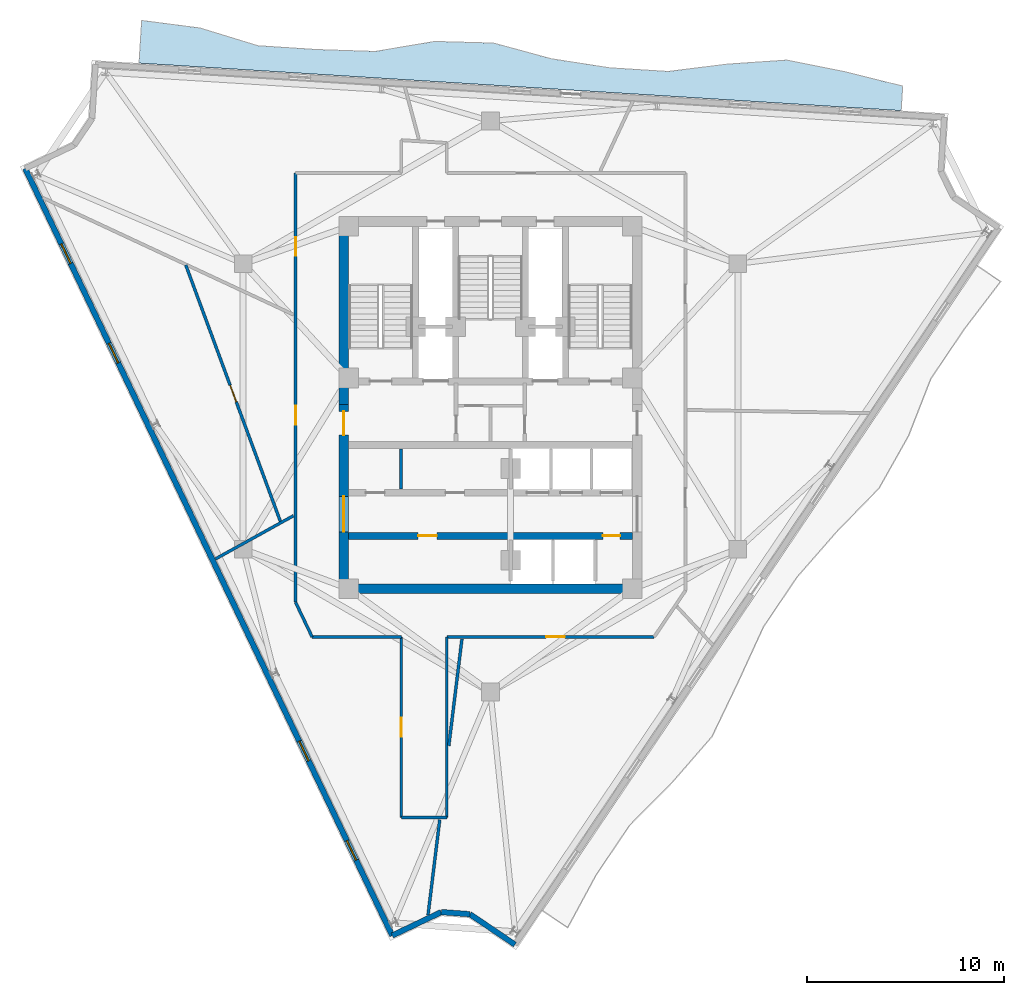
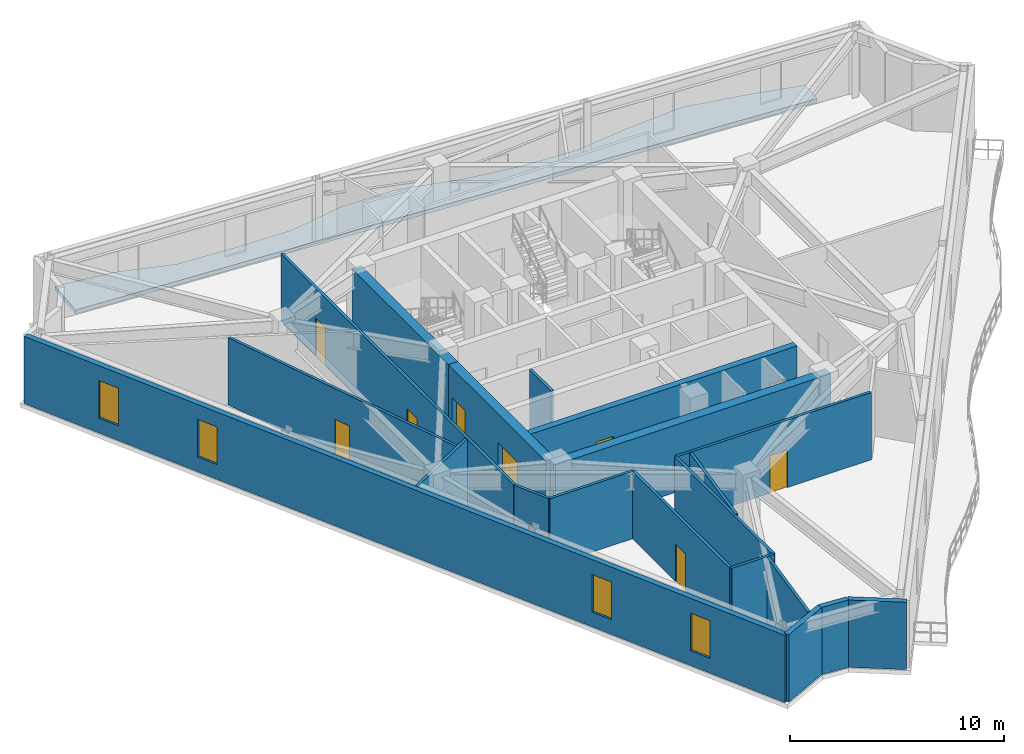
# One storey, part 5 of 10: 20 walls, 9 doors, 4 windows, 1 slab, 13 openings.
"""IFC4 building model written with IfcOpenShell, lengths in metres."""

from ifc_helpers import new_model, si_unit, direction, frame, frame_2d, origin, place, context, subcontext, project, spatial, polyline, rectangle, outline, extrude, material, layer, layer_set, type_object, element, fill, save


model = new_model("IFC4")

# Units and contexts
model_context = context("Model", 3, precision=1e-05, world=origin(), true_north=direction((0.0, 1.0)))
body_context = subcontext(model_context, "Body", "Model", "MODEL_VIEW")
ifc_project = project(units=[si_unit("LENGTHUNIT", "METRE"), si_unit("AREAUNIT", "SQUARE_METRE"), si_unit("VOLUMEUNIT", "CUBIC_METRE"), si_unit("PLANEANGLEUNIT", "RADIAN"), si_unit("MASSUNIT", "GRAM", prefix="KILO")], contexts=[model_context])

# Site, building, storey
site_placement = place(None, origin())
site = spatial("IfcSite", under=ifc_project, at=site_placement, CompositionType="ELEMENT")
building_placement = place(site_placement, origin())
building = spatial("IfcBuilding", under=site, at=building_placement, Name="Apsidion Concourse Tower", CompositionType="ELEMENT")
storey_placement = place(building_placement, frame((0.0, 0.0, 310.60009765625)))
storey = spatial("IfcBuildingStorey", under=building, at=storey_placement, Name="L73", CompositionType="ELEMENT", Elevation=310.60009765625)

# Slab
ifc_material_1 = material(Name="Concrete C50/60", Category="concrete")
ifc_layer_1 = layer(ifc_material_1, 0.219970703125)
ifc_layer_set_1 = layer_set([ifc_layer_1], Name="Concrete C50/60")
slab_type = type_object("IfcSlabType", Name="SL-BAL-220", PredefinedType="FLOOR", material=ifc_layer_set_1)
slab_placement = place(storey_placement, frame((0.0, 0.0, -0.22021484375)))
element("IfcSlab", 1, at=slab_placement, inside=storey, type_object=slab_type, Name="L73 Face 3 Rippling Balcony Slab", PredefinedType="FLOOR", context=body_context, shape_type="SweptSolid", body=[
    extrude(outline(polyline([(20.8564453125, 15.025146484375), (17.879150390625, 15.2109375), (14.90185546875, 15.396484375), (11.924560546875, 15.582275390625), (8.947265625, 15.767822265625), (5.969970703125, 15.95361328125), (2.99267578125, 16.139404296875), (0.015380859375, 16.324951171875), (-2.9619140625, 16.510498046875), (-5.939208984375, 16.6962890625), (-8.91650390625, 16.882080078125), (-11.893798828125, 17.067626953125), (-14.87109375, 17.25341796875), (-17.848388671875, 17.43896484375), (-17.71337890625, 19.6044921875), (-14.748291015625, 19.22119140625), (-11.8154296875, 18.3232421875), (-8.838623046875, 18.129638671875), (-5.85595703125, 18.03125), (-2.835205078125, 18.5400390625), (0.1484375, 18.458984375), (3.087646484375, 17.660400390625), (6.0478515625, 17.201171875), (9.025146484375, 17.015380859375), (12.037353515625, 17.389404296875), (15.038818359375, 17.59228515625), (17.990966796875, 17.002197265625), (20.934326171875, 16.272705078125), (20.8564453125, 15.025146484375)])), origin(), (0.0, 0.0, 1.0), 0.22021484375),
])

# Walls
ifc_material_2 = material(Name="Precast concrete C40/50", Category="concrete")
ifc_layer_2 = layer(ifc_material_2, 0.280029296875)
ifc_layer_set_2 = layer_set([ifc_layer_2], Name="Precast concrete C40/50")
wall_type_1 = type_object("IfcWallType", Name="WL-EXT-280", PredefinedType="STANDARD", material=ifc_layer_set_2)
wall_1_placement = place(storey_placement, frame((1.2431640625, -27.323974609375, 0.0), z_axis=(0.0, 0.0, 1.0), x_axis=(-0.829015842911, 0.559225117643, 0.0)))
element("IfcWall", 2, at=wall_1_placement, inside=storey, type_object=wall_type_1, Name="L73 Precast Stone Facade Wall 06", PredefinedType="STANDARD", context=body_context, shape_type="SweptSolid", body=[
    extrude(rectangle(XDim=2.759033203125, YDim=0.280029296875, at=frame_2d((1.37939453125, 0.0))), origin(), (0.0, 0.0, 1.0), 3.849853515625),
])
wall_2_placement = place(storey_placement, frame((-1.044189453125, -25.781005859375, 0.0), z_axis=(0.0, 0.0, 1.0), x_axis=(-0.997286893261, 0.073612855735, 0.0)))
element("IfcWall", 3, at=wall_2_placement, inside=storey, type_object=wall_type_1, Name="L73 Precast Stone Facade Wall 07", PredefinedType="STANDARD", context=body_context, shape_type="SweptSolid", body=[
    extrude(rectangle(XDim=1.459228515625, YDim=0.280029296875, at=frame_2d((0.7294921875, 0.0))), origin(), (0.0, 0.0, 1.0), 3.849853515625),
])
wall_3_placement = place(storey_placement, frame((-2.49951171875, -25.673583984375, 0.0), z_axis=(0.0, 0.0, 1.0), x_axis=(-0.902044352952, -0.431643354296, 0.0)))
element("IfcWall", 4, at=wall_3_placement, inside=storey, type_object=wall_type_1, Name="L73 Precast Stone Facade Wall 08", PredefinedType="STANDARD", context=body_context, shape_type="SweptSolid", body=[
    extrude(rectangle(XDim=2.759033203125, YDim=0.280029296875, at=frame_2d((1.37939453125, 0.0))), origin(), (0.0, 0.0, 1.0), 3.849853515625),
])

# Wall, openings, windows
wall_4_placement = place(storey_placement, frame((-4.98828125, -26.864501953125, 0.0), z_axis=(0.0, 0.0, 1.0), x_axis=(-0.431592936847, 0.902068476815, 0.0)))
wall_4 = element("IfcWall", 5, at=wall_4_placement, inside=storey, type_object=wall_type_1, Name="L73 Precast Stone Facade Wall 09", PredefinedType="STANDARD", context=body_context, shape_type="SweptSolid", body=[
    extrude(rectangle(XDim=43.18017578125, YDim=0.280029296875, at=frame_2d((21.590087890625, 0.0))), origin(), (0.0, 0.0, 1.0), 3.849853515625),
])
opening_1_placement = place(wall_4_placement, frame((4.239990234375, 0.0, 0.85009765625)))
opening_1 = element("IfcOpeningElement", 6, at=opening_1_placement, cuts=wall_4, Name="Opening WN-07", PredefinedType="OPENING", context=body_context, shape_type="SweptSolid", body=[
    extrude(rectangle(XDim=1.10009765625, YDim=2.14990234375, at=frame_2d((0.550048828125, 1.074951171875))), frame((0.0, 0.14990234375, 0.0), z_axis=(0.0, -1.0, 0.0), x_axis=(1.0, 0.0, 0.0)), (0.0, 0.0, 1.0), 0.300048828125),
])
opening_2_placement = place(wall_4_placement, frame((9.840087890625, 0.0, 0.85009765625)))
opening_2 = element("IfcOpeningElement", 7, at=opening_2_placement, cuts=wall_4, Name="Opening WN-07", PredefinedType="OPENING", context=body_context, shape_type="SweptSolid", body=[
    extrude(rectangle(XDim=1.10009765625, YDim=2.14990234375, at=frame_2d((0.550048828125, 1.074951171875))), frame((0.0, 0.14990234375, 0.0), z_axis=(0.0, -1.0, 0.0), x_axis=(1.0, 0.0, 0.0)), (0.0, 0.0, 1.0), 0.300048828125),
])
opening_3_placement = place(wall_4_placement, frame((32.239990234375, 0.0, 0.85009765625)))
opening_3 = element("IfcOpeningElement", 8, at=opening_3_placement, cuts=wall_4, Name="Opening WN-07", PredefinedType="OPENING", context=body_context, shape_type="SweptSolid", body=[
    extrude(rectangle(XDim=1.10009765625, YDim=2.14990234375, at=frame_2d((0.550048828125, 1.074951171875))), frame((0.0, 0.14990234375, 0.0), z_axis=(0.0, -1.0, 0.0), x_axis=(1.0, 0.0, 0.0)), (0.0, 0.0, 1.0), 0.300048828125),
])
opening_4_placement = place(wall_4_placement, frame((37.840087890625, 0.0, 0.85009765625)))
opening_4 = element("IfcOpeningElement", 9, at=opening_4_placement, cuts=wall_4, Name="Opening WN-07", PredefinedType="OPENING", context=body_context, shape_type="SweptSolid", body=[
    extrude(rectangle(XDim=1.10009765625, YDim=2.14990234375, at=frame_2d((0.550048828125, 1.074951171875))), frame((0.0, 0.14990234375, 0.0), z_axis=(0.0, -1.0, 0.0), x_axis=(1.0, 0.0, 0.0)), (0.0, 0.0, 1.0), 0.300048828125),
])
ifc_material_3 = material(Name="Insulated laminated low-E glass", Category="glass")
window_type = type_object("IfcWindowType", Name="WN-OFF-1123", PartitioningType="SINGLE_PANEL", PredefinedType="WINDOW", material=ifc_material_3)
window_1_placement = place(opening_1_placement, origin())
window_1 = element("IfcWindow", 10, at=window_1_placement, inside=storey, type_object=window_type, Name="L73 Punched Facade Window 9-01", OverallHeight=2.14990234375, OverallWidth=1.10009765625, PartitioningType="SINGLE_PANEL", PredefinedType="WINDOW", context=body_context, shape_type="SweptSolid", body=[
    extrude(rectangle(XDim=1.10009765625, YDim=2.14990234375, at=frame_2d((0.550048828125, 1.074951171875))), frame((0.0, 0.030029296875, 0.0), z_axis=(0.0, -1.0, 0.0), x_axis=(1.0, 0.0, 0.0)), (0.0, 0.0, 1.0), 0.06005859375),
])
fill(opening_1, window_1)
window_2_placement = place(opening_2_placement, origin())
window_2 = element("IfcWindow", 11, at=window_2_placement, inside=storey, type_object=window_type, Name="L73 Punched Facade Window 9-02", OverallHeight=2.14990234375, OverallWidth=1.10009765625, PartitioningType="SINGLE_PANEL", PredefinedType="WINDOW", context=body_context, shape_type="SweptSolid", body=[
    extrude(rectangle(XDim=1.10009765625, YDim=2.14990234375, at=frame_2d((0.550048828125, 1.074951171875))), frame((0.0, 0.030029296875, 0.0), z_axis=(0.0, -1.0, 0.0), x_axis=(1.0, 0.0, 0.0)), (0.0, 0.0, 1.0), 0.06005859375),
])
fill(opening_2, window_2)
window_3_placement = place(opening_3_placement, origin())
window_3 = element("IfcWindow", 12, at=window_3_placement, inside=storey, type_object=window_type, Name="L73 Punched Facade Window 9-06", OverallHeight=2.14990234375, OverallWidth=1.10009765625, PartitioningType="SINGLE_PANEL", PredefinedType="WINDOW", context=body_context, shape_type="SweptSolid", body=[
    extrude(rectangle(XDim=1.10009765625, YDim=2.14990234375, at=frame_2d((0.550048828125, 1.074951171875))), frame((0.0, 0.030029296875, 0.0), z_axis=(0.0, -1.0, 0.0), x_axis=(1.0, 0.0, 0.0)), (0.0, 0.0, 1.0), 0.06005859375),
])
fill(opening_3, window_3)
window_4_placement = place(opening_4_placement, origin())
window_4 = element("IfcWindow", 13, at=window_4_placement, inside=storey, type_object=window_type, Name="L73 Punched Facade Window 9-07", OverallHeight=2.14990234375, OverallWidth=1.10009765625, PartitioningType="SINGLE_PANEL", PredefinedType="WINDOW", context=body_context, shape_type="SweptSolid", body=[
    extrude(rectangle(XDim=1.10009765625, YDim=2.14990234375, at=frame_2d((0.550048828125, 1.074951171875))), frame((0.0, 0.030029296875, 0.0), z_axis=(0.0, -1.0, 0.0), x_axis=(1.0, 0.0, 0.0)), (0.0, 0.0, 1.0), 0.06005859375),
])
fill(opening_4, window_4)

# Walls
ifc_material_4 = material(Name="Gypsum plasterboard partition")
ifc_layer_3 = layer(ifc_material_4, 0.14990234375)
ifc_layer_set_3 = layer_set([ifc_layer_3], Name="Gypsum plasterboard partition")
wall_type_2 = type_object("IfcWallType", Name="WL-INT-PAR-150", PredefinedType="PARTITIONING", material=ifc_layer_set_3)
wall_5_placement = place(storey_placement, frame((-4.550048828125, -4.179931640625, 0.0), z_axis=(0.0, 0.0, 1.0), x_axis=(0.0, 1.0, 0.0)))
element("IfcWall", 14, at=wall_5_placement, inside=storey, type_object=wall_type_2, Name="L73 Interior Partition WL-L73-B1RV1", PredefinedType="PARTITIONING", context=body_context, shape_type="SweptSolid", body=[
    extrude(rectangle(XDim=2.030029296875, YDim=0.14990234375, at=frame_2d((1.01513671875, 0.0))), origin(), (0.0, 0.0, 1.0), 3.849853515625),
])
wall_6_placement = place(storey_placement, frame((-4.530029296875, -11.699951171875, 0.0), z_axis=(0.0, 0.0, 1.0), x_axis=(-1.0, 0.0, 0.0)))
element("IfcWall", 15, at=wall_6_placement, inside=storey, type_object=wall_type_2, Name="L73 Interior Partition WL-L73-CORR-01", PredefinedType="PARTITIONING", context=body_context, shape_type="SweptSolid", body=[
    extrude(rectangle(XDim=4.5263671875, YDim=0.14990234375, at=frame_2d((2.26318359375, 0.0))), origin(), (0.0, 0.0, 1.0), 3.849853515625),
])
wall_7_placement = place(storey_placement, frame((-9.056396484375, -11.699951171875, 0.0), z_axis=(0.0, 0.0, 1.0), x_axis=(-0.431605782187, 0.902062330875, 0.0)))
element("IfcWall", 16, at=wall_7_placement, inside=storey, type_object=wall_type_2, Name="L73 Interior Partition WL-L73-CORR-02", PredefinedType="PARTITIONING", context=body_context, shape_type="SweptSolid", body=[
    extrude(rectangle(XDim=1.954345703125, YDim=0.14990234375, at=frame_2d((0.97705078125, 0.0))), origin(), (0.0, 0.0, 1.0), 3.849853515625),
])

# Wall, openings, doors
wall_8_placement = place(storey_placement, frame((-9.89990234375, -9.93701171875, 0.0), z_axis=(0.0, 0.0, 1.0), x_axis=(0.0, 1.0, 0.0)))
wall_8 = element("IfcWall", 17, at=wall_8_placement, inside=storey, type_object=wall_type_2, Name="L73 Interior Partition WL-L73-CORR-03", PredefinedType="PARTITIONING", context=body_context, shape_type="SweptSolid", body=[
    extrude(rectangle(XDim=21.787109375, YDim=0.14990234375, at=frame_2d((10.8935546875, 0.0))), origin(), (0.0, 0.0, 1.0), 3.849853515625),
])
opening_5_placement = place(wall_8_placement, frame((17.5908203125, 0.0, 0.0)))
opening_5 = element("IfcOpeningElement", 18, at=opening_5_placement, cuts=wall_8, Name="Opening D-01R", PredefinedType="OPENING", context=body_context, shape_type="SweptSolid", body=[
    extrude(rectangle(XDim=0.949951171875, YDim=2.14990234375, at=frame_2d((0.47509765625, 1.074951171875))), frame((0.0, 0.0849609375, 0.0), z_axis=(0.0, -1.0, 0.0), x_axis=(1.0, 0.0, 0.0)), (0.0, 0.0, 1.0), 0.169921875),
])
opening_6_placement = place(wall_8_placement, frame((9.02197265625, 0.0, 0.0)))
opening_6 = element("IfcOpeningElement", 19, at=opening_6_placement, cuts=wall_8, Name="Opening D-01L", PredefinedType="OPENING", context=body_context, shape_type="SweptSolid", body=[
    extrude(rectangle(XDim=0.949951171875, YDim=2.14990234375, at=frame_2d((0.47509765625, 1.074951171875))), frame((0.0, 0.0849609375, 0.0), z_axis=(0.0, -1.0, 0.0), x_axis=(1.0, 0.0, 0.0)), (0.0, 0.0, 1.0), 0.169921875),
])
ifc_material_5 = material(Name="Brushed stainless steel 316", Category="steel")
door_type_1 = type_object("IfcDoorType", Name="DR-INT-D01L", OperationType="SINGLE_SWING_LEFT", PredefinedType="DOOR", material=ifc_material_5)
door_1_placement = place(opening_6_placement, origin())
door_1 = element("IfcDoor", 20, at=door_1_placement, inside=storey, type_object=door_type_1, Name="L73 Corridor Entry Door 07", OperationType="SINGLE_SWING_LEFT", OverallHeight=2.14990234375, OverallWidth=0.949951171875, PredefinedType="DOOR", context=body_context, shape_type="SweptSolid", body=[
    extrude(rectangle(XDim=0.949951171875, YDim=2.14990234375, at=frame_2d((0.47509765625, 1.074951171875))), frame((0.0, 0.02490234375, 0.0), z_axis=(0.0, -1.0, 0.0), x_axis=(1.0, 0.0, 0.0)), (0.0, 0.0, 1.0), 0.050048828125),
])
fill(opening_6, door_1)
door_type_2 = type_object("IfcDoorType", Name="DR-INT-D01R", OperationType="SINGLE_SWING_RIGHT", PredefinedType="DOOR", material=ifc_material_5)
door_2_placement = place(opening_5_placement, origin())
door_2 = element("IfcDoor", 21, at=door_2_placement, inside=storey, type_object=door_type_2, Name="L73 Corridor Entry Door 06", OperationType="SINGLE_SWING_RIGHT", OverallHeight=2.14990234375, OverallWidth=0.949951171875, PredefinedType="DOOR", context=body_context, shape_type="SweptSolid", body=[
    extrude(rectangle(XDim=0.949951171875, YDim=2.14990234375, at=frame_2d((0.47509765625, 1.074951171875))), frame((0.0, 0.02490234375, 0.0), z_axis=(0.0, -1.0, 0.0), x_axis=(1.0, 0.0, 0.0)), (0.0, 0.0, 1.0), 0.050048828125),
])
fill(opening_5, door_2)

# Wall, opening, door
wall_9_placement = place(storey_placement, frame((8.313720703125, -11.699951171875, 0.0), z_axis=(0.0, 0.0, 1.0), x_axis=(-1.0, 0.0, 0.0)))
wall_9 = element("IfcWall", 22, at=wall_9_placement, inside=storey, type_object=wall_type_2, Name="L73 Interior Partition WL-L73-CORR-11", PredefinedType="PARTITIONING", context=body_context, shape_type="SweptSolid", body=[
    extrude(rectangle(XDim=10.53369140625, YDim=0.14990234375, at=frame_2d((5.266845703125, 0.0))), origin(), (0.0, 0.0, 1.0), 3.849853515625),
])
opening_7_placement = place(wall_9_placement, frame((4.53271484375, 0.0, 0.0)))
opening_7 = element("IfcOpeningElement", 23, at=opening_7_placement, cuts=wall_9, Name="Opening D-01R", PredefinedType="OPENING", context=body_context, shape_type="SweptSolid", body=[
    extrude(rectangle(XDim=0.949951171875, YDim=2.14990234375, at=frame_2d((0.47509765625, 1.074951171875))), frame((0.0, 0.0849609375, 0.0), z_axis=(0.0, -1.0, 0.0), x_axis=(1.0, 0.0, 0.0)), (0.0, 0.0, 1.0), 0.169921875),
])
door_3_placement = place(opening_7_placement, origin())
door_3 = element("IfcDoor", 24, at=door_3_placement, inside=storey, type_object=door_type_2, Name="L73 Corridor Entry Door 02", OperationType="SINGLE_SWING_RIGHT", OverallHeight=2.14990234375, OverallWidth=0.949951171875, PredefinedType="DOOR", context=body_context, shape_type="SweptSolid", body=[
    extrude(rectangle(XDim=0.949951171875, YDim=2.14990234375, at=frame_2d((0.47509765625, 1.074951171875))), frame((0.0, 0.02490234375, 0.0), z_axis=(0.0, -1.0, 0.0), x_axis=(1.0, 0.0, 0.0)), (0.0, 0.0, 1.0), 0.050048828125),
])
fill(opening_7, door_3)

# Walls
wall_10_placement = place(storey_placement, frame((-2.219970703125, -11.699951171875, 0.0), z_axis=(0.0, 0.0, 1.0), x_axis=(0.0, -1.0, 0.0)))
element("IfcWall", 25, at=wall_10_placement, inside=storey, type_object=wall_type_2, Name="L73 Interior Partition WL-L73-CORR-12", PredefinedType="PARTITIONING", context=body_context, shape_type="SweptSolid", body=[
    extrude(rectangle(XDim=9.179931640625, YDim=0.14990234375, at=frame_2d((4.58984375, 0.0))), origin(), (0.0, 0.0, 1.0), 3.849853515625),
])
wall_11_placement = place(storey_placement, frame((-2.219970703125, -20.8798828125, 0.0), z_axis=(0.0, 0.0, 1.0), x_axis=(-1.0, 0.0, 0.0)))
element("IfcWall", 26, at=wall_11_placement, inside=storey, type_object=wall_type_2, Name="L73 Interior Partition WL-L73-CORR-13", PredefinedType="PARTITIONING", context=body_context, shape_type="SweptSolid", body=[
    extrude(rectangle(XDim=2.31005859375, YDim=0.14990234375, at=frame_2d((1.155029296875, 0.0))), origin(), (0.0, 0.0, 1.0), 3.849853515625),
])

# Wall, opening, door
wall_12_placement = place(storey_placement, frame((-4.530029296875, -20.8798828125, 0.0), z_axis=(0.0, 0.0, 1.0), x_axis=(0.0, 1.0, 0.0)))
wall_12 = element("IfcWall", 27, at=wall_12_placement, inside=storey, type_object=wall_type_2, Name="L73 Interior Partition WL-L73-CORR-14", PredefinedType="PARTITIONING", context=body_context, shape_type="SweptSolid", body=[
    extrude(rectangle(XDim=9.179931640625, YDim=0.14990234375, at=frame_2d((4.58984375, 0.0))), origin(), (0.0, 0.0, 1.0), 3.849853515625),
])
opening_8_placement = place(wall_12_placement, frame((4.114990234375, 0.0, 0.0)))
opening_8 = element("IfcOpeningElement", 28, at=opening_8_placement, cuts=wall_12, Name="Opening D-01L", PredefinedType="OPENING", context=body_context, shape_type="SweptSolid", body=[
    extrude(rectangle(XDim=0.949951171875, YDim=2.14990234375, at=frame_2d((0.47509765625, 1.074951171875))), frame((0.0, 0.0849609375, 0.0), z_axis=(0.0, -1.0, 0.0), x_axis=(1.0, 0.0, 0.0)), (0.0, 0.0, 1.0), 0.169921875),
])
door_4_placement = place(opening_8_placement, origin())
door_4 = element("IfcDoor", 29, at=door_4_placement, inside=storey, type_object=door_type_1, Name="L73 Corridor Entry Door 01", OperationType="SINGLE_SWING_LEFT", OverallHeight=2.14990234375, OverallWidth=0.949951171875, PredefinedType="DOOR", context=body_context, shape_type="SweptSolid", body=[
    extrude(rectangle(XDim=0.949951171875, YDim=2.14990234375, at=frame_2d((0.47509765625, 1.074951171875))), frame((0.0, 0.02490234375, 0.0), z_axis=(0.0, -1.0, 0.0), x_axis=(1.0, 0.0, 0.0)), (0.0, 0.0, 1.0), 0.050048828125),
])
fill(opening_8, door_4)

# Walls
wall_13_placement = place(storey_placement, frame((-10.0048828125, -5.5458984375, 0.0), z_axis=(0.0, 0.0, 1.0), x_axis=(-0.874622222754, -0.48480508193, 0.0)))
element("IfcWall", 30, at=wall_13_placement, inside=storey, type_object=wall_type_2, Name="L73 Interior Partition WL-L73-RAD-04-1", PredefinedType="PARTITIONING", context=body_context, shape_type="SweptSolid", body=[
    extrude(rectangle(XDim=4.52880859375, YDim=0.14990234375, at=frame_2d((2.264404296875, 0.0))), origin(), (0.0, 0.0, 1.0), 3.849853515625),
])
wall_14_placement = place(storey_placement, frame((-1.449462890625, -11.804931640625, 0.0), z_axis=(0.0, 0.0, 1.0), x_axis=(-0.121866576679, -0.992546491349, 0.0)))
element("IfcWall", 31, at=wall_14_placement, inside=storey, type_object=wall_type_2, Name="L73 Interior Partition WL-L73-RAD-05-1", PredefinedType="PARTITIONING", context=body_context, shape_type="SweptSolid", body=[
    extrude(rectangle(XDim=5.461181640625, YDim=0.14990234375, at=frame_2d((2.73046875, 0.0))), origin(), (0.0, 0.0, 1.0), 3.849853515625),
])
wall_15_placement = place(storey_placement, frame((-2.57666015625, -20.985107421875, 0.0), z_axis=(0.0, 0.0, 1.0), x_axis=(-0.12186446529, -0.992546750586, 0.0)))
element("IfcWall", 32, at=wall_15_placement, inside=storey, type_object=wall_type_2, Name="L73 Interior Partition WL-L73-RAD-05-2", PredefinedType="PARTITIONING", context=body_context, shape_type="SweptSolid", body=[
    extrude(rectangle(XDim=4.874267578125, YDim=0.14990234375, at=frame_2d((2.43701171875, 0.0))), origin(), (0.0, 0.0, 1.0), 3.849853515625),
])

# Wall, opening, door
wall_16_placement = place(storey_placement, frame((-15.47314453125, 7.187744140625, 0.0), z_axis=(0.0, 0.0, 1.0), x_axis=(0.346159492737, -0.938175679491, 0.0)))
wall_16 = element("IfcWall", 33, at=wall_16_placement, inside=storey, type_object=wall_type_2, Name="L73 Interior Partition WL-L73-CHD-OFS06", PredefinedType="PARTITIONING", context=body_context, shape_type="SweptSolid", body=[
    extrude(rectangle(XDim=13.925048828125, YDim=0.14990234375, at=frame_2d((6.96240234375, 0.0))), origin(), (0.0, 0.0, 1.0), 3.849853515625),
])
opening_9_placement = place(wall_16_placement, frame((6.512451171875, 0.0, 0.0)))
opening_9 = element("IfcOpeningElement", 34, at=opening_9_placement, cuts=wall_16, Name="Opening D-02L", PredefinedType="OPENING", context=body_context, shape_type="SweptSolid", body=[
    extrude(rectangle(XDim=0.89990234375, YDim=2.10009765625, at=frame_2d((0.449951171875, 1.050048828125))), frame((0.0, 0.0849609375, 0.0), z_axis=(0.0, -1.0, 0.0), x_axis=(1.0, 0.0, 0.0)), (0.0, 0.0, 1.0), 0.169921875),
])
ifc_material_6 = material(Name="Anodised aluminium EN AW-6063 T6", Category="aluminium")
door_type_3 = type_object("IfcDoorType", Name="DR-INT-D02L", OperationType="SINGLE_SWING_LEFT", PredefinedType="DOOR", material=ifc_material_6)
door_5_placement = place(opening_9_placement, origin())
door_5 = element("IfcDoor", 35, at=door_5_placement, inside=storey, type_object=door_type_3, Name="L73 Suite Connecting Door OFS06", OperationType="SINGLE_SWING_LEFT", OverallHeight=2.10009765625, OverallWidth=0.89990234375, PredefinedType="DOOR", context=body_context, shape_type="SweptSolid", body=[
    extrude(rectangle(XDim=0.89990234375, YDim=2.10009765625, at=frame_2d((0.449951171875, 1.050048828125))), frame((0.0, 0.02490234375, 0.0), z_axis=(0.0, -1.0, 0.0), x_axis=(1.0, 0.0, 0.0)), (0.0, 0.0, 1.0), 0.050048828125),
])
fill(opening_9, door_5)

# Wall, openings, doors
ifc_layer_4 = layer(ifc_material_1, 0.35009765625)
ifc_layer_set_4 = layer_set([ifc_layer_4], Name="Concrete C50/60")
wall_type_3 = type_object("IfcWallType", Name="WL-SH-350", PredefinedType="SHEAR", material=ifc_layer_set_4)
wall_17_placement = place(storey_placement, frame((-7.199951171875, -6.570068359375, 0.0), z_axis=(0.0, 0.0, 1.0), x_axis=(1.0, 0.0, 0.0)))
wall_17 = element("IfcWall", 36, at=wall_17_placement, inside=storey, type_object=wall_type_3, Name="L73 Central Core Shear Wall LB", PredefinedType="SHEAR", context=body_context, shape_type="SweptSolid", body=[
    extrude(rectangle(XDim=14.39990234375, YDim=0.35009765625, at=frame_2d((7.199951171875, 0.0))), origin(), (0.0, 0.0, 1.0), 3.849853515625),
])
opening_10_placement = place(wall_17_placement, frame((3.52490234375, 0.0, 0.0)))
opening_10 = element("IfcOpeningElement", 37, at=opening_10_placement, cuts=wall_17, Name="Opening D-04L", PredefinedType="OPENING", context=body_context, shape_type="SweptSolid", body=[
    extrude(rectangle(XDim=0.949951171875, YDim=2.14990234375, at=frame_2d((0.47509765625, 1.074951171875))), frame((0.0, 0.18505859375, 0.0), z_axis=(0.0, -1.0, 0.0), x_axis=(1.0, 0.0, 0.0)), (0.0, 0.0, 1.0), 0.3701171875),
])
opening_11_placement = place(wall_17_placement, frame((12.909912109375, 0.0, 0.0)))
opening_11 = element("IfcOpeningElement", 38, at=opening_11_placement, cuts=wall_17, Name="Opening D-05L", PredefinedType="OPENING", context=body_context, shape_type="SweptSolid", body=[
    extrude(rectangle(XDim=0.8798828125, YDim=2.14990234375, at=frame_2d((0.43994140625, 1.074951171875))), frame((0.0, 0.18505859375, 0.0), z_axis=(0.0, -1.0, 0.0), x_axis=(1.0, 0.0, 0.0)), (0.0, 0.0, 1.0), 0.3701171875),
])
door_type_4 = type_object("IfcDoorType", Name="DR-INT-D04L", OperationType="SINGLE_SWING_LEFT", PredefinedType="DOOR", material=ifc_material_5)
door_6_placement = place(opening_10_placement, origin())
door_6 = element("IfcDoor", 39, at=door_6_placement, inside=storey, type_object=door_type_4, Name="L73 Executive Archive and Mail Room Door", OperationType="SINGLE_SWING_LEFT", OverallHeight=2.14990234375, OverallWidth=0.949951171875, PredefinedType="DOOR", context=body_context, shape_type="SweptSolid", body=[
    extrude(rectangle(XDim=0.949951171875, YDim=2.14990234375, at=frame_2d((0.47509765625, 1.074951171875))), frame((0.0, 0.02490234375, 0.0), z_axis=(0.0, -1.0, 0.0), x_axis=(1.0, 0.0, 0.0)), (0.0, 0.0, 1.0), 0.050048828125),
])
fill(opening_10, door_6)
door_type_5 = type_object("IfcDoorType", Name="DR-INT-D05L", OperationType="SINGLE_SWING_LEFT", PredefinedType="DOOR", material=ifc_material_5)
door_7_placement = place(opening_11_placement, origin())
door_7 = element("IfcDoor", 40, at=door_7_placement, inside=storey, type_object=door_type_5, Name="L73 Cleaners Store Door", OperationType="SINGLE_SWING_LEFT", OverallHeight=2.14990234375, OverallWidth=0.8798828125, PredefinedType="DOOR", context=body_context, shape_type="SweptSolid", body=[
    extrude(rectangle(XDim=0.8798828125, YDim=2.14990234375, at=frame_2d((0.43994140625, 1.074951171875))), frame((0.0, 0.02490234375, 0.0), z_axis=(0.0, -1.0, 0.0), x_axis=(1.0, 0.0, 0.0)), (0.0, 0.0, 1.0), 0.050048828125),
])
fill(opening_11, door_7)

# Wall
ifc_layer_5 = layer(ifc_material_1, 0.5)
ifc_layer_set_5 = layer_set([ifc_layer_5], Name="Concrete C50/60")
wall_type_4 = type_object("IfcWallType", Name="WL-SH-500", PredefinedType="SHEAR", material=ifc_layer_set_5)
wall_18_placement = place(storey_placement, frame((-7.449951171875, 0.10009765625, 0.0), z_axis=(0.0, 0.0, 1.0), x_axis=(0.0, 1.0, 0.0)))
element("IfcWall", 41, at=wall_18_placement, inside=storey, type_object=wall_type_4, Name="L73 Central Core Shear Wall WN", PredefinedType="SHEAR", context=body_context, shape_type="SweptSolid", body=[
    extrude(rectangle(XDim=9.0498046875, YDim=0.5, at=frame_2d((4.52490234375, 0.0))), origin(), (0.0, 0.0, 1.0), 3.849853515625),
])

# Wall, openings, doors
wall_19_placement = place(storey_placement, frame((-7.449951171875, -9.0, 0.0), z_axis=(0.0, 0.0, 1.0), x_axis=(0.0, 1.0, 0.0)))
wall_19 = element("IfcWall", 42, at=wall_19_placement, inside=storey, type_object=wall_type_4, Name="L73 Central Core Shear Wall WS", PredefinedType="SHEAR", context=body_context, shape_type="SweptSolid", body=[
    extrude(rectangle(XDim=9.10009765625, YDim=0.5, at=frame_2d((4.550048828125, 0.0))), origin(), (0.0, 0.0, 1.0), 3.849853515625),
])
opening_12_placement = place(wall_19_placement, frame((2.639892578125, 0.0, 0.0)))
opening_12 = element("IfcOpeningElement", 43, at=opening_12_placement, cuts=wall_19, Name="Opening D-06D", PredefinedType="OPENING", context=body_context, shape_type="SweptSolid", body=[
    extrude(rectangle(XDim=1.800048828125, YDim=2.199951171875, at=frame_2d((0.89990234375, 1.10009765625))), frame((0.0, 0.260009765625, 0.0), z_axis=(0.0, -1.0, 0.0), x_axis=(1.0, 0.0, 0.0)), (0.0, 0.0, 1.0), 0.52001953125),
])
opening_13_placement = place(wall_19_placement, frame((7.550048828125, 0.0, 0.0)))
opening_13 = element("IfcOpeningElement", 44, at=opening_13_placement, cuts=wall_19, Name="Opening D-FFL", PredefinedType="OPENING", context=body_context, shape_type="SweptSolid", body=[
    extrude(rectangle(XDim=1.199951171875, YDim=2.14990234375, at=frame_2d((0.60009765625, 1.074951171875))), frame((0.0, 0.260009765625, 0.0), z_axis=(0.0, -1.0, 0.0), x_axis=(1.0, 0.0, 0.0)), (0.0, 0.0, 1.0), 0.52001953125),
])
door_type_6 = type_object("IfcDoorType", Name="DR-INT-D06D", OperationType="DOUBLE_DOOR_SINGLE_SWING", PredefinedType="DOOR", material=ifc_material_5)
door_8_placement = place(opening_12_placement, origin())
door_8 = element("IfcDoor", 45, at=door_8_placement, inside=storey, type_object=door_type_6, Name="L73 Passenger Lift Lobby WS Portal Door", OperationType="DOUBLE_DOOR_SINGLE_SWING", OverallHeight=2.199951171875, OverallWidth=1.800048828125, PredefinedType="DOOR", context=body_context, shape_type="SweptSolid", body=[
    extrude(rectangle(XDim=1.800048828125, YDim=2.199951171875, at=frame_2d((0.89990234375, 1.10009765625))), frame((0.0, 0.02490234375, 0.0), z_axis=(0.0, -1.0, 0.0), x_axis=(1.0, 0.0, 0.0)), (0.0, 0.0, 1.0), 0.050048828125),
])
fill(opening_12, door_8)
door_type_7 = type_object("IfcDoorType", Name="DR-INT-FFL", OperationType="SINGLE_SWING_LEFT", PredefinedType="DOOR", material=ifc_material_5)
door_9_placement = place(opening_13_placement, origin())
door_9 = element("IfcDoor", 46, at=door_9_placement, inside=storey, type_object=door_type_7, Name="L73 Firefighting Lift Lobby FF1 Door", OperationType="SINGLE_SWING_LEFT", OverallHeight=2.14990234375, OverallWidth=1.199951171875, PredefinedType="DOOR", context=body_context, shape_type="SweptSolid", body=[
    extrude(rectangle(XDim=1.199951171875, YDim=2.14990234375, at=frame_2d((0.60009765625, 1.074951171875))), frame((0.0, 0.02490234375, 0.0), z_axis=(0.0, -1.0, 0.0), x_axis=(1.0, 0.0, 0.0)), (0.0, 0.0, 1.0), 0.050048828125),
])
fill(opening_13, door_9)

# Wall
wall_20_placement = place(storey_placement, frame((-7.449951171875, -9.25, 0.0), z_axis=(0.0, 0.0, 1.0), x_axis=(1.0, 0.0, 0.0)))
element("IfcWall", 47, at=wall_20_placement, inside=storey, type_object=wall_type_4, Name="L73 Central Core Shear Wall S", PredefinedType="SHEAR", context=body_context, shape_type="SweptSolid", body=[
    extrude(rectangle(XDim=14.89990234375, YDim=0.5, at=frame_2d((7.449951171875, 0.0))), origin(), (0.0, 0.0, 1.0), 3.849853515625),
])

save(model, "model.ifc")
